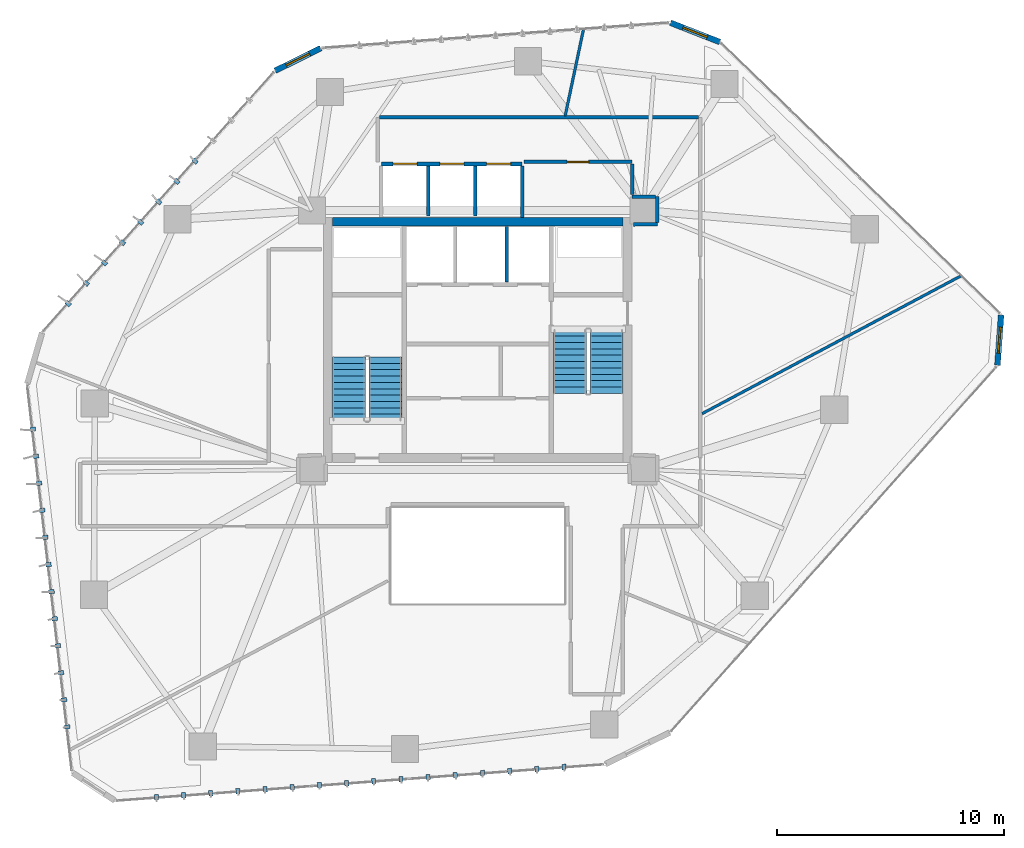
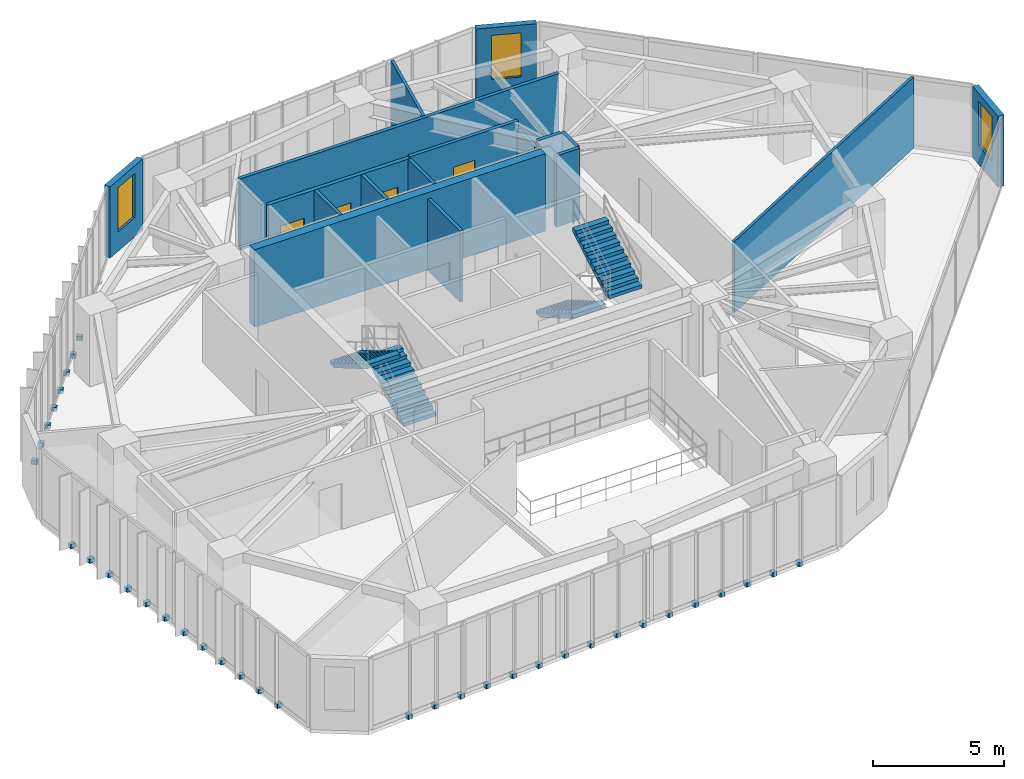
# One storey, part 19 of 23: 36 discrete accessories, 17 walls, 4 doors, 4 stair flights, 3 windows, 7 openings, 2 elements without a shape of their own.
"""IFC4 building model written with IfcOpenShell, lengths in metres."""

from ifc_helpers import new_model, si_unit, direction, frame, frame_2d, origin, origin_2d, place, context, subcontext, project, spatial, polyline, rectangle, outline, extrude, source, transform, mapped, material, layer, layer_set, type_object, type_shapes, element, fill, aggregate, save


model = new_model("IFC4")

# Units and contexts
model_context = context("Model", 3, precision=1e-05, world=origin(), true_north=direction((0.0, 1.0)))
body_context = subcontext(model_context, "Body", "Model", "MODEL_VIEW")
ifc_project = project(units=[si_unit("LENGTHUNIT", "METRE"), si_unit("AREAUNIT", "SQUARE_METRE"), si_unit("VOLUMEUNIT", "CUBIC_METRE"), si_unit("PLANEANGLEUNIT", "RADIAN"), si_unit("MASSUNIT", "GRAM", prefix="KILO")], contexts=[model_context])

# Site, building, storey
site_placement = place(None, origin())
site = spatial("IfcSite", under=ifc_project, at=site_placement, CompositionType="ELEMENT")
building_placement = place(site_placement, origin())
building = spatial("IfcBuilding", under=site, at=building_placement, Name="Talar Marvaseh", CompositionType="ELEMENT")
storey_placement = place(building_placement, frame((0.0, 0.0, 103.800048828125)))
storey = spatial("IfcBuildingStorey", under=building, at=storey_placement, Name="L26", CompositionType="ELEMENT", Elevation=103.800048828125)

# Wall, opening, window
ifc_material_1 = material(Name="Precast concrete C45/55", Category="concrete")
ifc_layer_1 = layer(ifc_material_1, 0.2548828125)
ifc_layer_set_1 = layer_set([ifc_layer_1], Name="Precast concrete C45/55")
wall_type_1 = type_object("IfcWallType", Name="Chamfered Hexagonal Corner Pier Wall Z2 255", PredefinedType="SOLIDWALL", material=ifc_layer_set_1)
wall_1_placement = place(storey_placement, frame((17.077392578125, 43.054931640625, 0.0), z_axis=(0.0, 0.0, 1.0), x_axis=(0.896849598434, 0.442335616686, 0.0)))
wall_1 = element("IfcWall", 1, at=wall_1_placement, inside=storey, type_object=wall_type_1, Name="L26 Chamfered Corner Limestone Pier 3", PredefinedType="SOLIDWALL", context=body_context, shape_type="SweptSolid", body=[
    extrude(rectangle(XDim=2.245361328125, YDim=0.2548828125, at=frame_2d((1.12255859375, 0.0))), origin(), (0.0, 0.0, 1.0), 3.31005859375),
])
opening_1_placement = place(wall_1_placement, frame((0.548095703125, 0.0, 0.89990234375)))
opening_1 = element("IfcOpeningElement", 2, at=opening_1_placement, cuts=wall_1, Name="Opening WN-CHM11", PredefinedType="OPENING", context=body_context, shape_type="SweptSolid", body=[
    extrude(rectangle(XDim=1.14990234375, YDim=2.050048828125, at=frame_2d((0.574951171875, 1.02490234375))), frame((0.0, 0.137451171875, 0.0), z_axis=(0.0, -1.0, 0.0), x_axis=(1.0, 0.0, 0.0)), (0.0, 0.0, 1.0), 0.27490234375),
])
ifc_material_2 = material(Name="Laminated Low-E Solar Glass", Category="glass")
window_type = type_object("IfcWindowType", Name="Zone 2 Chamfered Corner Slot Window 1150x2050", PartitioningType="SINGLE_PANEL", PredefinedType="WINDOW", material=ifc_material_2)
shared_shape_1 = source(origin(), body_context, "Body", "SweptSolid", [
    extrude(rectangle(XDim=1.14990234375, YDim=2.050048828125, at=frame_2d((0.574951171875, 1.02490234375))), frame((0.0, 0.030029296875, 0.0), z_axis=(0.0, -1.0, 0.0), x_axis=(1.0, 0.0, 0.0)), (0.0, 0.0, 1.0), 0.06005859375),
])
type_shapes(window_type, [shared_shape_1])
window_1_placement = place(opening_1_placement, origin())
window_1 = element("IfcWindow", 3, at=window_1_placement, inside=storey, type_object=window_type, Name="L26 Chamfered Corner Slot Window", OverallHeight=2.050048828125, OverallWidth=1.14990234375, PartitioningType="SINGLE_PANEL", PredefinedType="WINDOW", context=body_context, shape_type="MappedRepresentation", body=[
    mapped(shared_shape_1, transform((0.0, 0.0, 0.0), x_axis=(1.0, 0.0, 0.0), y_axis=(0.0, 1.0, 0.0), z_axis=(0.0, 0.0, 1.0), scale=1.0)),
])
fill(opening_1, window_1)

wall_2_placement = place(storey_placement, frame((34.488525390625, 45.172607421875, 0.0), z_axis=(0.0, 0.0, 1.0), x_axis=(0.931205845988, -0.364493720655, 0.0)))
wall_2 = element("IfcWall", 4, at=wall_2_placement, inside=storey, type_object=wall_type_1, Name="L26 Chamfered Corner Limestone Pier 4", PredefinedType="SOLIDWALL", context=body_context, shape_type="SweptSolid", body=[
    extrude(rectangle(XDim=2.341064453125, YDim=0.2548828125, at=frame_2d((1.17041015625, 0.0))), origin(), (0.0, 0.0, 1.0), 3.31005859375),
])
opening_2_placement = place(wall_2_placement, frame((0.594970703125, 0.0, 0.89990234375)))
opening_2 = element("IfcOpeningElement", 5, at=opening_2_placement, cuts=wall_2, Name="Opening WN-CHM11", PredefinedType="OPENING", context=body_context, shape_type="SweptSolid", body=[
    extrude(rectangle(XDim=1.14990234375, YDim=2.050048828125, at=frame_2d((0.574951171875, 1.02490234375))), frame((0.0, 0.137451171875, 0.0), z_axis=(0.0, -1.0, 0.0), x_axis=(1.0, 0.0, 0.0)), (0.0, 0.0, 1.0), 0.27490234375),
])
window_2_placement = place(opening_2_placement, origin())
window_2 = element("IfcWindow", 6, at=window_2_placement, inside=storey, type_object=window_type, Name="L26 Chamfered Corner Slot Window", OverallHeight=2.050048828125, OverallWidth=1.14990234375, PartitioningType="SINGLE_PANEL", PredefinedType="WINDOW", context=body_context, shape_type="MappedRepresentation", body=[
    mapped(shared_shape_1, transform((0.0, 0.0, 0.0), x_axis=(1.0, 0.0, 0.0), y_axis=(0.0, 1.0, 0.0), z_axis=(0.0, 0.0, 1.0), scale=1.0)),
])
fill(opening_2, window_2)

wall_3_placement = place(storey_placement, frame((49.052734375, 32.2958984375, 0.0), z_axis=(0.0, 0.0, 1.0), x_axis=(-0.072804622076, -0.997346222234, 0.0)))
wall_3 = element("IfcWall", 7, at=wall_3_placement, inside=storey, type_object=wall_type_1, Name="L26 Chamfered Corner Limestone Pier 5", PredefinedType="SOLIDWALL", context=body_context, shape_type="SweptSolid", body=[
    extrude(rectangle(XDim=2.216552734375, YDim=0.2548828125, at=frame_2d((1.1083984375, 0.0))), origin(), (0.0, 0.0, 1.0), 3.31005859375),
])
opening_3_placement = place(wall_3_placement, frame((0.532958984375, 0.0, 0.89990234375)))
opening_3 = element("IfcOpeningElement", 8, at=opening_3_placement, cuts=wall_3, Name="Opening WN-CHM11", PredefinedType="OPENING", context=body_context, shape_type="SweptSolid", body=[
    extrude(rectangle(XDim=1.14990234375, YDim=2.050048828125, at=frame_2d((0.574951171875, 1.02490234375))), frame((0.0, 0.137451171875, 0.0), z_axis=(0.0, -1.0, 0.0), x_axis=(1.0, 0.0, 0.0)), (0.0, 0.0, 1.0), 0.27490234375),
])
window_3_placement = place(opening_3_placement, origin())
window_3 = element("IfcWindow", 9, at=window_3_placement, inside=storey, type_object=window_type, Name="L26 Chamfered Corner Slot Window", OverallHeight=2.050048828125, OverallWidth=1.14990234375, PartitioningType="SINGLE_PANEL", PredefinedType="WINDOW", context=body_context, shape_type="MappedRepresentation", body=[
    mapped(shared_shape_1, transform((0.0, 0.0, 0.0), x_axis=(1.0, 0.0, 0.0), y_axis=(0.0, 1.0, 0.0), z_axis=(0.0, 0.0, 1.0), scale=1.0)),
])
fill(opening_3, window_3)

# Wall, opening, door
ifc_material_3 = material(Name="Gypsum Board Partition Assembly")
ifc_layer_2 = layer(ifc_material_3, 0.155029296875)
ifc_layer_set_2 = layer_set([ifc_layer_2], Name="Gypsum Board Partition Assembly")
wall_type_2 = type_object("IfcWallType", Name="Corridor Fire-Rated Acoustic Partition 155", PredefinedType="PARTITIONING", material=ifc_layer_set_2)
wall_4_placement = place(storey_placement, frame((32.800048828125, 39.0400390625, 0.0), z_axis=(0.0, 0.0, 1.0), x_axis=(-1.0, 0.0, 0.0)))
wall_4 = element("IfcWall", 10, at=wall_4_placement, inside=storey, type_object=wall_type_2, Name="L26 Interior Partition Wall", PredefinedType="PARTITIONING", context=body_context, shape_type="SweptSolid", body=[
    extrude(rectangle(XDim=4.77001953125, YDim=0.155029296875, at=frame_2d((2.385009765625, 0.0))), origin(), (0.0, 0.0, 1.0), 3.31005859375),
])
opening_4_placement = place(wall_4_placement, frame((1.909912109375, 0.0, 0.0)))
opening_4 = element("IfcOpeningElement", 11, at=opening_4_placement, cuts=wall_4, Name="Opening DR-WC095", PredefinedType="OPENING", context=body_context, shape_type="SweptSolid", body=[
    extrude(rectangle(XDim=0.949951171875, YDim=2.14990234375, at=frame_2d((0.47509765625, 1.074951171875))), frame((0.0, 0.08740234375, 0.0), z_axis=(0.0, -1.0, 0.0), x_axis=(1.0, 0.0, 0.0)), (0.0, 0.0, 1.0), 0.175048828125),
])
ifc_material_4 = material(Name="Acoustic Engineered Oak Timber", Category="wood")
door_type_1 = type_object("IfcDoorType", Name="Washroom and Service Room Door 950x2150", OperationType="NOTDEFINED", PredefinedType="DOOR", material=ifc_material_4)
shared_shape_2 = source(origin(), body_context, "Body", "SweptSolid", [
    extrude(rectangle(XDim=0.949951171875, YDim=2.14990234375, at=frame_2d((0.47509765625, 1.074951171875))), frame((0.0, 0.02490234375, 0.0), z_axis=(0.0, -1.0, 0.0), x_axis=(1.0, 0.0, 0.0)), (0.0, 0.0, 1.0), 0.050048828125),
])
type_shapes(door_type_1, [shared_shape_2])
door_1_placement = place(opening_4_placement, origin())
door_1 = element("IfcDoor", 12, at=door_1_placement, inside=storey, type_object=door_type_1, Name="L26 WC Public Washrooms Door", OperationType="SINGLE_SWING_LEFT", OverallHeight=2.14990234375, OverallWidth=0.949951171875, PredefinedType="DOOR", context=body_context, shape_type="MappedRepresentation", body=[
    mapped(shared_shape_2, transform((0.0, 0.0, 0.0), x_axis=(1.0, 0.0, 0.0), y_axis=(0.0, 1.0, 0.0), z_axis=(0.0, 0.0, 1.0), scale=1.0)),
])
fill(opening_4, door_1)

# Walls
wall_5_placement = place(storey_placement, frame((32.8701171875, 36.284912109375, 0.0), z_axis=(0.0, 0.0, 1.0), x_axis=(0.999895094683, 0.014484461652, 0.0)))
element("IfcWall", 13, at=wall_5_placement, inside=storey, type_object=wall_type_2, Name="L26 Interior Partition Wall", PredefinedType="PARTITIONING", context=body_context, shape_type="SweptSolid", body=[
    extrude(rectangle(XDim=1.044921875, YDim=0.155029296875, at=frame_2d((0.5224609375, 0.0))), origin(), (0.0, 0.0, 1.0), 3.31005859375),
])
wall_6_placement = place(storey_placement, frame((33.914794921875, 36.383544921875, 0.0), z_axis=(0.0, 0.0, 1.0), x_axis=(-0.003682817312, 0.999993218405, 0.0)))
element("IfcWall", 14, at=wall_6_placement, inside=storey, type_object=wall_type_2, Name="L26 Interior Partition Wall", PredefinedType="PARTITIONING", context=body_context, shape_type="SweptSolid", body=[
    extrude(rectangle(XDim=1.126953125, YDim=0.155029296875, at=frame_2d((0.5634765625, 0.0))), origin(), (0.0, 0.0, 1.0), 3.31005859375),
])
wall_7_placement = place(storey_placement, frame((33.8271484375, 37.510986328125, 0.0), z_axis=(0.0, 0.0, 1.0), x_axis=(-0.99999276797, 0.003803157663, 0.0)))
element("IfcWall", 15, at=wall_7_placement, inside=storey, type_object=wall_type_2, Name="L26 Interior Partition Wall", PredefinedType="PARTITIONING", context=body_context, shape_type="SweptSolid", body=[
    extrude(rectangle(XDim=1.027099609375, YDim=0.155029296875, at=frame_2d((0.513671875, 0.0))), origin(), (0.0, 0.0, 1.0), 3.31005859375),
])
wall_8_placement = place(storey_placement, frame((32.800048828125, 37.598388671875, 0.0), z_axis=(0.0, 0.0, 1.0), x_axis=(0.0, 1.0, 0.0)))
element("IfcWall", 16, at=wall_8_placement, inside=storey, type_object=wall_type_2, Name="L26 Interior Partition Wall", PredefinedType="PARTITIONING", context=body_context, shape_type="SweptSolid", body=[
    extrude(rectangle(XDim=1.358154296875, YDim=0.155029296875, at=frame_2d((0.67919921875, 0.0))), origin(), (0.0, 0.0, 1.0), 2.927001953125),
])
wall_9_placement = place(storey_placement, frame((21.68359375, 41.0, 0.0), z_axis=(0.0, 0.0, 1.0), x_axis=(1.0, 0.0, 0.0)))
element("IfcWall", 17, at=wall_9_placement, inside=storey, type_object=wall_type_2, Name="L26 Interior Partition Wall", PredefinedType="PARTITIONING", context=body_context, shape_type="SweptSolid", body=[
    extrude(rectangle(XDim=14.032958984375, YDim=0.155029296875, at=frame_2d((7.0166015625, 0.0))), origin(), (0.0, 0.0, 1.0), 3.31005859375),
])
ifc_layer_3 = layer(ifc_material_3, 0.1201171875)
ifc_layer_set_3 = layer_set([ifc_layer_3], Name="Gypsum Board Partition Assembly")
wall_type_3 = type_object("IfcWallType", Name="Demountable Studio Room Partition 120", PredefinedType="PARTITIONING", material=ifc_layer_set_3)
wall_10_placement = place(storey_placement, frame((35.883544921875, 27.954345703125, 0.0), z_axis=(0.0, 0.0, 1.0), x_axis=(0.88273448085, 0.469872148907, 0.0)))
element("IfcWall", 18, at=wall_10_placement, inside=storey, type_object=wall_type_3, Name="L26 Interior Partition Wall", PredefinedType="PARTITIONING", context=body_context, shape_type="SweptSolid", body=[
    extrude(rectangle(XDim=12.903076171875, YDim=0.1201171875, at=frame_2d((6.45166015625, 0.0))), origin(), (0.0, 0.0, 1.0), 3.31005859375),
])
wall_11_placement = place(storey_placement, frame((29.853515625, 41.063720703125, 0.0), z_axis=(0.0, 0.0, 1.0), x_axis=(0.206797050131, 0.978383861303, 0.0)))
element("IfcWall", 19, at=wall_11_placement, inside=storey, type_object=wall_type_3, Name="L26 Interior Partition Wall", PredefinedType="PARTITIONING", context=body_context, shape_type="SweptSolid", body=[
    extrude(rectangle(XDim=3.894775390625, YDim=0.1201171875, at=frame_2d((1.947265625, 0.0))), origin(), (0.0, 0.0, 1.0), 3.31005859375),
])
ifc_layer_4 = layer(ifc_material_1, 0.14501953125)
ifc_layer_set_4 = layer_set([ifc_layer_4], Name="Precast concrete C45/55")
wall_type_4 = type_object("IfcWallType", Name="Fire-Rated Lift Divider Wall 145", PredefinedType="SOLIDWALL", material=ifc_layer_set_4)
wall_12_placement = place(storey_placement, frame((27.280029296875, 33.743408203125, 0.0), z_axis=(0.0, 0.0, 1.0), x_axis=(0.0, 1.0, 0.0)))
element("IfcWall", 20, at=wall_12_placement, inside=storey, type_object=wall_type_4, Name="L26 FFL-2/SVL-1 Divider", PredefinedType="SOLIDWALL", context=body_context, shape_type="SweptSolid", body=[
    extrude(rectangle(XDim=2.45654296875, YDim=0.14501953125, at=frame_2d((1.228271484375, 0.0))), origin(), (0.0, 0.0, 1.0), 3.31005859375),
])
wall_13_placement = place(storey_placement, frame((27.9599609375, 36.60009765625, 0.0), z_axis=(0.0, 0.0, 1.0), x_axis=(0.0, 1.0, 0.0)))
element("IfcWall", 21, at=wall_13_placement, inside=storey, type_object=wall_type_4, Name="L26 Low-Rise Bank East Wall", PredefinedType="SOLIDWALL", context=body_context, shape_type="SweptSolid", body=[
    extrude(rectangle(XDim=2.266357421875, YDim=0.14501953125, at=frame_2d((1.13330078125, 0.0))), origin(), (0.0, 0.0, 1.0), 3.31005859375),
])
for number, where, z_axis, x_axis, name in (
    (22, (23.830078125, 36.659912109375, 0.0), (0.0, 0.0, 1.0), (0.0, 1.0, 0.0), "L26 PL-L1/PL-L2 Divider"),
    (23, (25.889892578125, 36.659912109375, 0.0), (0.0, 0.0, 1.0), (0.0, 1.0, 0.0), "L26 PL-L2/PL-L3 Divider"),
):
    element("IfcWall", number, at=place(storey_placement, frame(where, z_axis=z_axis, x_axis=x_axis)), inside=storey, type_object=wall_type_4, Name=name, PredefinedType="SOLIDWALL", context=body_context, shape_type="SweptSolid", body=[
        extrude(rectangle(XDim=2.20654296875, YDim=0.14501953125, at=frame_2d((1.103271484375, 0.0))), origin(), (0.0, 0.0, 1.0), 3.31005859375),
    ])

# Wall, openings, doors
ifc_layer_5 = layer(ifc_material_1, 0.175048828125)
ifc_layer_set_5 = layer_set([ifc_layer_5], Name="Precast concrete C45/55")
wall_type_5 = type_object("IfcWallType", Name="Fire-Rated Lift Hoistway Enclosure Wall 175", PredefinedType="SOLIDWALL", material=ifc_layer_set_5)
wall_14_placement = place(storey_placement, frame((21.760009765625, 38.9599609375, 0.0), z_axis=(0.0, 0.0, 1.0), x_axis=(1.0, 0.0, 0.0)))
wall_14 = element("IfcWall", 24, at=wall_14_placement, inside=storey, type_object=wall_type_5, Name="L26 Low-Rise Lift Bank Front Wall", PredefinedType="SOLIDWALL", context=body_context, shape_type="SweptSolid", body=[
    extrude(rectangle(XDim=6.199951171875, YDim=0.175048828125, at=frame_2d((3.10009765625, 0.0))), origin(), (0.0, 0.0, 1.0), 3.31005859375),
])
opening_5_placement = place(wall_14_placement, frame((0.52001953125, 0.0, 0.0)))
opening_5 = element("IfcOpeningElement", 25, at=opening_5_placement, cuts=wall_14, Name="Opening LD-PLL1", PredefinedType="OPENING", context=body_context, shape_type="SweptSolid", body=[
    extrude(rectangle(XDim=1.050048828125, YDim=2.14990234375, at=frame_2d((0.52490234375, 1.074951171875))), frame((0.0, 0.09765625, 0.0), z_axis=(0.0, -1.0, 0.0), x_axis=(1.0, 0.0, 0.0)), (0.0, 0.0, 1.0), 0.195068359375),
])
opening_6_placement = place(wall_14_placement, frame((2.580078125, 0.0, 0.0)))
opening_6 = element("IfcOpeningElement", 26, at=opening_6_placement, cuts=wall_14, Name="Opening LD-PLL2", PredefinedType="OPENING", context=body_context, shape_type="SweptSolid", body=[
    extrude(rectangle(XDim=1.050048828125, YDim=2.14990234375, at=frame_2d((0.52490234375, 1.074951171875))), frame((0.0, 0.09765625, 0.0), z_axis=(0.0, -1.0, 0.0), x_axis=(1.0, 0.0, 0.0)), (0.0, 0.0, 1.0), 0.195068359375),
])
opening_7_placement = place(wall_14_placement, frame((4.639892578125, 0.0, 0.0)))
opening_7 = element("IfcOpeningElement", 27, at=opening_7_placement, cuts=wall_14, Name="Opening LD-PLL3", PredefinedType="OPENING", context=body_context, shape_type="SweptSolid", body=[
    extrude(rectangle(XDim=1.050048828125, YDim=2.14990234375, at=frame_2d((0.52490234375, 1.074951171875))), frame((0.0, 0.09765625, 0.0), z_axis=(0.0, -1.0, 0.0), x_axis=(1.0, 0.0, 0.0)), (0.0, 0.0, 1.0), 0.195068359375),
])
ifc_material_5 = material(Name="Stainless Steel Grade 316", Category="steel")
door_type_2 = type_object("IfcDoorType", Name="Automatic Sliding Lift Landing Door 1050x2150", OperationType="NOTDEFINED", PredefinedType="DOOR", material=ifc_material_5)
shared_shape_3 = source(origin(), body_context, "Body", "SweptSolid", [
    extrude(rectangle(XDim=1.050048828125, YDim=2.14990234375, at=frame_2d((0.52490234375, 1.074951171875))), frame((0.0, 0.02490234375, 0.0), z_axis=(0.0, -1.0, 0.0), x_axis=(1.0, 0.0, 0.0)), (0.0, 0.0, 1.0), 0.050048828125),
])
type_shapes(door_type_2, [shared_shape_3])
door_2_placement = place(opening_5_placement, origin())
door_2 = element("IfcDoor", 28, at=door_2_placement, inside=storey, type_object=door_type_2, Name="L26 Lift PL-L1 Sliding Landing Door", OperationType="SLIDING_TO_LEFT", OverallHeight=2.14990234375, OverallWidth=1.050048828125, PredefinedType="DOOR", context=body_context, shape_type="MappedRepresentation", body=[
    mapped(shared_shape_3, transform((0.0, 0.0, 0.0), x_axis=(1.0, 0.0, 0.0), y_axis=(0.0, 1.0, 0.0), z_axis=(0.0, 0.0, 1.0), scale=1.0)),
])
fill(opening_5, door_2)
door_3_placement = place(opening_6_placement, origin())
door_3 = element("IfcDoor", 29, at=door_3_placement, inside=storey, type_object=door_type_2, Name="L26 Lift PL-L2 Sliding Landing Door", OperationType="SLIDING_TO_LEFT", OverallHeight=2.14990234375, OverallWidth=1.050048828125, PredefinedType="DOOR", context=body_context, shape_type="MappedRepresentation", body=[
    mapped(shared_shape_3, transform((0.0, 0.0, 0.0), x_axis=(1.0, 0.0, 0.0), y_axis=(0.0, 1.0, 0.0), z_axis=(0.0, 0.0, 1.0), scale=1.0)),
])
fill(opening_6, door_3)
door_4_placement = place(opening_7_placement, origin())
door_4 = element("IfcDoor", 30, at=door_4_placement, inside=storey, type_object=door_type_2, Name="L26 Lift PL-L3 Sliding Landing Door", OperationType="SLIDING_TO_LEFT", OverallHeight=2.14990234375, OverallWidth=1.050048828125, PredefinedType="DOOR", context=body_context, shape_type="MappedRepresentation", body=[
    mapped(shared_shape_3, transform((0.0, 0.0, 0.0), x_axis=(1.0, 0.0, 0.0), y_axis=(0.0, 1.0, 0.0), z_axis=(0.0, 0.0, 1.0), scale=1.0)),
])
fill(opening_7, door_4)

# Wall
ifc_material_6 = material(Name="Concrete C60/75", Category="concrete")
ifc_layer_6 = layer(ifc_material_6, 0.3798828125)
ifc_layer_set_6 = layer_set([ifc_layer_6], Name="Concrete C60/75")
wall_type_6 = type_object("IfcWallType", Name="Mid Core Reinforced Concrete Shear Wall 380", PredefinedType="SHEAR", material=ifc_layer_set_6)
wall_15_placement = place(storey_placement, frame((19.60009765625, 36.39990234375, 0.0), z_axis=(0.0, 0.0, 1.0), x_axis=(1.0, 0.0, 0.0)))
element("IfcWall", 31, at=wall_15_placement, inside=storey, type_object=wall_type_6, Name="L26 North Core Shear Wall", PredefinedType="SHEAR", context=body_context, shape_type="SweptSolid", body=[
    extrude(rectangle(XDim=12.7998046875, YDim=0.3798828125, at=frame_2d((6.39990234375, 0.0))), origin(), (0.0, 0.0, 1.0), 3.599853515625),
])

# Stair, stair flights
ifc_material_7 = material(Name="Concrete C40/50", Category="concrete")
stair_type = type_object("IfcStairType", Name="Reinforced Concrete Half-Turn Exit Stair Type B", PredefinedType="HALF_TURN_STAIR", material=ifc_material_7)
stair_1_placement = place(storey_placement, origin())
stair_1 = element("IfcStair", 32, at=stair_1_placement, inside=storey, type_object=stair_type, Name="L26 Tower West Core Exit Stair", PredefinedType="HALF_TURN_STAIR")
ifc_layer_7 = layer(ifc_material_7, 0.159912109375)
ifc_layer_set_7 = layer_set([ifc_layer_7], Name="Concrete C40/50")
stair_flight_type = type_object("IfcStairFlightType", Name="Reinforced Concrete Straight Stair Flight 160", PredefinedType="STRAIGHT", material=ifc_layer_set_7)
stair_flight_1_placement = place(storey_placement, frame((21.93505859375, 27.64990234375, 0.0), z_axis=(0.0, 0.0, 1.0), x_axis=(0.0, 1.0, 0.0)))
stair_flight_1 = element("IfcStairFlight", 33, at=stair_flight_1_placement, type_object=stair_flight_type, Name="ST-1 flight 1", NumberOfRisers=11, NumberOfTreads=10, PredefinedType="STRAIGHT", RiserHeight=0.163636364, TreadLength=0.28, context=body_context, shape_type="SweptSolid", body=[
    extrude(outline(polyline([(0.0, 0.0), (0.0, 0.16357421875), (0.280029296875, 0.16357421875), (0.280029296875, 0.327392578125), (0.56005859375, 0.327392578125), (0.56005859375, 0.490966796875), (0.840087890625, 0.490966796875), (0.840087890625, 0.654541015625), (1.1201171875, 0.654541015625), (1.1201171875, 0.818115234375), (1.39990234375, 0.818115234375), (1.39990234375, 0.98193359375), (1.679931640625, 0.98193359375), (1.679931640625, 1.1455078125), (1.9599609375, 1.1455078125), (1.9599609375, 1.30908203125), (2.239990234375, 1.30908203125), (2.239990234375, 1.47265625), (2.52001953125, 1.47265625), (2.52001953125, 1.636474609375), (2.800048828125, 1.636474609375), (2.800048828125, 1.800048828125), (2.800048828125, 1.451171875), (0.31689453125, 0.0), (0.0, 0.0)])), frame((0.0, 0.72509765625, 0.0), z_axis=(0.0, -1.0, 0.0), x_axis=(1.0, 0.0, 0.0)), (0.0, 0.0, 1.0), 1.449951171875),
])
stair_flight_2_placement = place(storey_placement, frame((20.324951171875, 30.449951171875, 1.800048828125), z_axis=(0.0, 0.0, 1.0), x_axis=(0.0, -1.0, 0.0)))
stair_flight_2 = element("IfcStairFlight", 34, at=stair_flight_2_placement, type_object=stair_flight_type, Name="ST-1 flight 2", NumberOfRisers=11, NumberOfTreads=10, PredefinedType="STRAIGHT", RiserHeight=0.163636364, TreadLength=0.28, context=body_context, shape_type="SweptSolid", body=[
    extrude(outline(polyline([(0.0, 0.0), (0.0, 0.16357421875), (0.280029296875, 0.16357421875), (0.280029296875, 0.327392578125), (0.56005859375, 0.327392578125), (0.56005859375, 0.490966796875), (0.840087890625, 0.490966796875), (0.840087890625, 0.654541015625), (1.1201171875, 0.654541015625), (1.1201171875, 0.818115234375), (1.39990234375, 0.818115234375), (1.39990234375, 0.98193359375), (1.679931640625, 0.98193359375), (1.679931640625, 1.1455078125), (1.9599609375, 1.1455078125), (1.9599609375, 1.30908203125), (2.239990234375, 1.30908203125), (2.239990234375, 1.47265625), (2.52001953125, 1.47265625), (2.52001953125, 1.636474609375), (2.800048828125, 1.636474609375), (2.800048828125, 1.800048828125), (2.800048828125, 1.451171875), (0.31689453125, 0.0), (0.0, 0.0)])), frame((0.0, 0.72509765625, 0.0), z_axis=(0.0, -1.0, 0.0), x_axis=(1.0, 0.0, 0.0)), (0.0, 0.0, 1.0), 1.449951171875),
])
aggregate(stair_1, [stair_flight_1, stair_flight_2])

stair_2_placement = place(storey_placement, origin())
stair_2 = element("IfcStair", 35, at=stair_2_placement, inside=storey, type_object=stair_type, Name="L26 Tower East Core Exit Stair", PredefinedType="HALF_TURN_STAIR")
stair_flight_3_placement = place(storey_placement, frame((30.06494140625, 31.64990234375, 0.0), z_axis=(0.0, 0.0, 1.0), x_axis=(0.0, -1.0, 0.0)))
stair_flight_3 = element("IfcStairFlight", 36, at=stair_flight_3_placement, type_object=stair_flight_type, Name="ST-2 flight 1", NumberOfRisers=11, NumberOfTreads=10, PredefinedType="STRAIGHT", RiserHeight=0.163636364, TreadLength=0.28, context=body_context, shape_type="SweptSolid", body=[
    extrude(outline(polyline([(0.0, 0.0), (0.0, 0.16357421875), (0.280029296875, 0.16357421875), (0.280029296875, 0.327392578125), (0.56005859375, 0.327392578125), (0.56005859375, 0.490966796875), (0.840087890625, 0.490966796875), (0.840087890625, 0.654541015625), (1.1201171875, 0.654541015625), (1.1201171875, 0.818115234375), (1.39990234375, 0.818115234375), (1.39990234375, 0.98193359375), (1.679931640625, 0.98193359375), (1.679931640625, 1.1455078125), (1.9599609375, 1.1455078125), (1.9599609375, 1.30908203125), (2.239990234375, 1.30908203125), (2.239990234375, 1.47265625), (2.52001953125, 1.47265625), (2.52001953125, 1.636474609375), (2.800048828125, 1.636474609375), (2.800048828125, 1.800048828125), (2.800048828125, 1.451171875), (0.31689453125, 0.0), (0.0, 0.0)])), frame((0.0, 0.72509765625, 0.0), z_axis=(0.0, -1.0, 0.0), x_axis=(1.0, 0.0, 0.0)), (0.0, 0.0, 1.0), 1.449951171875),
])
stair_flight_4_placement = place(storey_placement, frame((31.675048828125, 28.85009765625, 1.800048828125), z_axis=(0.0, 0.0, 1.0), x_axis=(0.0, 1.0, 0.0)))
stair_flight_4 = element("IfcStairFlight", 37, at=stair_flight_4_placement, type_object=stair_flight_type, Name="ST-2 flight 2", NumberOfRisers=11, NumberOfTreads=10, PredefinedType="STRAIGHT", RiserHeight=0.163636364, TreadLength=0.28, context=body_context, shape_type="SweptSolid", body=[
    extrude(outline(polyline([(0.0, 0.0), (0.0, 0.16357421875), (0.280029296875, 0.16357421875), (0.280029296875, 0.327392578125), (0.56005859375, 0.327392578125), (0.56005859375, 0.490966796875), (0.840087890625, 0.490966796875), (0.840087890625, 0.654541015625), (1.1201171875, 0.654541015625), (1.1201171875, 0.818115234375), (1.39990234375, 0.818115234375), (1.39990234375, 0.98193359375), (1.679931640625, 0.98193359375), (1.679931640625, 1.1455078125), (1.9599609375, 1.1455078125), (1.9599609375, 1.30908203125), (2.239990234375, 1.30908203125), (2.239990234375, 1.47265625), (2.52001953125, 1.47265625), (2.52001953125, 1.636474609375), (2.800048828125, 1.636474609375), (2.800048828125, 1.800048828125), (2.800048828125, 1.451171875), (0.31689453125, 0.0), (0.0, 0.0)])), frame((0.0, 0.72509765625, 0.0), z_axis=(0.0, -1.0, 0.0), x_axis=(1.0, 0.0, 0.0)), (0.0, 0.0, 1.0), 1.449951171875),
])
aggregate(stair_2, [stair_flight_3, stair_flight_4])

# Discrete accessories
discrete_accessory_type = type_object("IfcDiscreteAccessoryType", Name="Stainless Slab-Edge Fin Mounting Bracket", PredefinedType="BRACKET", material=ifc_material_5)
shared_shape_4 = source(origin(), body_context, "Body", "SweptSolid", [
    extrude(rectangle(XDim=0.239990234375, YDim=0.179931640625, at=origin_2d()), origin(), (0.0, 0.0, 1.0), 0.199951171875),
])
type_shapes(discrete_accessory_type, [shared_shape_4])
for number, where, z_axis, x_axis, name in (
    (38, (7.92529296875, 14.15869140625, -0.18017578125), (0.0, 0.0, 1.0), (-0.9933727656, -0.114937150493, 0.0), "L26 Vertical Fin Slab-Edge Bracket"),
    (39, (7.78759765625, 15.350830078125, -0.18017578125), (0.0, 0.0, 1.0), (-0.9933727656, -0.114937150493, 0.0), "L26 Vertical Fin Slab-Edge Bracket"),
    (40, (7.649658203125, 16.542724609375, -0.18017578125), (0.0, 0.0, 1.0), (-0.9933727656, -0.114937150493, 0.0), "L26 Vertical Fin Slab-Edge Bracket"),
    (41, (7.511962890625, 17.73486328125, -0.18017578125), (0.0, 0.0, 1.0), (-0.9933727656, -0.114937150493, 0.0), "L26 Vertical Fin Slab-Edge Bracket"),
    (42, (7.3740234375, 18.927001953125, -0.18017578125), (0.0, 0.0, 1.0), (-0.9933727656, -0.114937150493, 0.0), "L26 Vertical Fin Slab-Edge Bracket"),
    (43, (7.236083984375, 20.118896484375, -0.18017578125), (0.0, 0.0, 1.0), (-0.9933727656, -0.114937150493, 0.0), "L26 Vertical Fin Slab-Edge Bracket"),
    (44, (7.098388671875, 21.31103515625, -0.18017578125), (0.0, 0.0, 1.0), (-0.9933727656, -0.114937150493, 0.0), "L26 Vertical Fin Slab-Edge Bracket"),
    (45, (6.96044921875, 22.503173828125, -0.18017578125), (0.0, 0.0, 1.0), (-0.9933727656, -0.114937150493, 0.0), "L26 Vertical Fin Slab-Edge Bracket"),
    (46, (6.82275390625, 23.695068359375, -0.18017578125), (0.0, 0.0, 1.0), (-0.9933727656, -0.114937150493, 0.0), "L26 Vertical Fin Slab-Edge Bracket"),
    (47, (6.684814453125, 24.88720703125, -0.18017578125), (0.0, 0.0, 1.0), (-0.9933727656, -0.114937150493, 0.0), "L26 Vertical Fin Slab-Edge Bracket"),
    (48, (6.547119140625, 26.079345703125, -0.18017578125), (0.0, 0.0, 1.0), (-0.9933727656, -0.114937150493, 0.0), "L26 Vertical Fin Slab-Edge Bracket"),
    (49, (6.4091796875, 27.271240234375, -0.18017578125), (0.0, 0.0, 1.0), (-0.9933727656, -0.114937150493, 0.0), "L26 Vertical Fin Slab-Edge Bracket"),
    (50, (7.966796875, 32.7998046875, -0.18017578125), (0.0, 0.0, 1.0), (-0.746870345992, 0.664969688239, 0.0), "L26 Vertical Fin Slab-Edge Bracket"),
    (51, (8.764892578125, 33.69580078125, -0.18017578125), (0.0, 0.0, 1.0), (-0.746870345992, 0.664969688239, 0.0), "L26 Vertical Fin Slab-Edge Bracket"),
    (52, (9.56298828125, 34.59228515625, -0.18017578125), (0.0, 0.0, 1.0), (-0.746870345992, 0.664969688239, 0.0), "L26 Vertical Fin Slab-Edge Bracket"),
    (53, (10.36083984375, 35.48828125, -0.18017578125), (0.0, 0.0, 1.0), (-0.746870345992, 0.664969688239, 0.0), "L26 Vertical Fin Slab-Edge Bracket"),
    (54, (11.158935546875, 36.384521484375, -0.18017578125), (0.0, 0.0, 1.0), (-0.746870345992, 0.664969688239, 0.0), "L26 Vertical Fin Slab-Edge Bracket"),
    (55, (11.956787109375, 37.28076171875, -0.18017578125), (0.0, 0.0, 1.0), (-0.746870345992, 0.664969688239, 0.0), "L26 Vertical Fin Slab-Edge Bracket"),
    (56, (12.7548828125, 38.177001953125, -0.18017578125), (0.0, 0.0, 1.0), (-0.746870345992, 0.664969688239, 0.0), "L26 Vertical Fin Slab-Edge Bracket"),
    (57, (13.552978515625, 39.0732421875, -0.18017578125), (0.0, 0.0, 1.0), (-0.746870345992, 0.664969688239, 0.0), "L26 Vertical Fin Slab-Edge Bracket"),
    (58, (29.8037109375, 12.394287109375, -0.18017578125), (0.0, 0.0, 1.0), (0.074282542058, -0.997237235539, 0.0), "L26 Vertical Fin Slab-Edge Bracket"),
    (59, (28.60693359375, 12.30517578125, -0.18017578125), (0.0, 0.0, 1.0), (0.074282542058, -0.997237235539, 0.0), "L26 Vertical Fin Slab-Edge Bracket"),
    (60, (27.41015625, 12.2158203125, -0.18017578125), (0.0, 0.0, 1.0), (0.074282542058, -0.997237235539, 0.0), "L26 Vertical Fin Slab-Edge Bracket"),
    (61, (26.213623046875, 12.126708984375, -0.18017578125), (0.0, 0.0, 1.0), (0.074282542058, -0.997237235539, 0.0), "L26 Vertical Fin Slab-Edge Bracket"),
    (62, (25.016845703125, 12.03759765625, -0.18017578125), (0.0, 0.0, 1.0), (0.074282542058, -0.997237235539, 0.0), "L26 Vertical Fin Slab-Edge Bracket"),
    (63, (23.8203125, 11.948486328125, -0.18017578125), (0.0, 0.0, 1.0), (0.074282542058, -0.997237235539, 0.0), "L26 Vertical Fin Slab-Edge Bracket"),
    (64, (22.62353515625, 11.859619140625, -0.18017578125), (0.0, 0.0, 1.0), (0.074282542058, -0.997237235539, 0.0), "L26 Vertical Fin Slab-Edge Bracket"),
    (65, (21.4267578125, 11.7705078125, -0.18017578125), (0.0, 0.0, 1.0), (0.074282542058, -0.997237235539, 0.0), "L26 Vertical Fin Slab-Edge Bracket"),
    (66, (20.22998046875, 11.681396484375, -0.18017578125), (0.0, 0.0, 1.0), (0.074282542058, -0.997237235539, 0.0), "L26 Vertical Fin Slab-Edge Bracket"),
    (67, (19.033447265625, 11.592041015625, -0.18017578125), (0.0, 0.0, 1.0), (0.074282542058, -0.997237235539, 0.0), "L26 Vertical Fin Slab-Edge Bracket"),
    (68, (17.8369140625, 11.5029296875, -0.18017578125), (0.0, 0.0, 1.0), (0.074282542058, -0.997237235539, 0.0), "L26 Vertical Fin Slab-Edge Bracket"),
    (69, (16.64013671875, 11.413818359375, -0.18017578125), (0.0, 0.0, 1.0), (0.074282542058, -0.997237235539, 0.0), "L26 Vertical Fin Slab-Edge Bracket"),
    (70, (15.443359375, 11.32470703125, -0.18017578125), (0.0, 0.0, 1.0), (0.074282542058, -0.997237235539, 0.0), "L26 Vertical Fin Slab-Edge Bracket"),
    (71, (14.24658203125, 11.235595703125, -0.18017578125), (0.0, 0.0, 1.0), (0.074282542058, -0.997237235539, 0.0), "L26 Vertical Fin Slab-Edge Bracket"),
    (72, (13.050048828125, 11.146484375, -0.18017578125), (0.0, 0.0, 1.0), (0.074282542058, -0.997237235539, 0.0), "L26 Vertical Fin Slab-Edge Bracket"),
    (73, (11.853271484375, 11.057373046875, -0.18017578125), (0.0, 0.0, 1.0), (0.074282542058, -0.997237235539, 0.0), "L26 Vertical Fin Slab-Edge Bracket"),
):
    element("IfcDiscreteAccessory", number, at=place(storey_placement, frame(where, z_axis=z_axis, x_axis=x_axis)), inside=storey, type_object=discrete_accessory_type, Name=name, PredefinedType="BRACKET", context=body_context, shape_type="MappedRepresentation", body=[
        mapped(shared_shape_4, transform((0.0, 0.0, 0.0), x_axis=(1.0, 0.0, 0.0), y_axis=(0.0, 1.0, 0.0), z_axis=(0.0, 0.0, 1.0), scale=1.0)),
    ])

save(model, "model.ifc")
